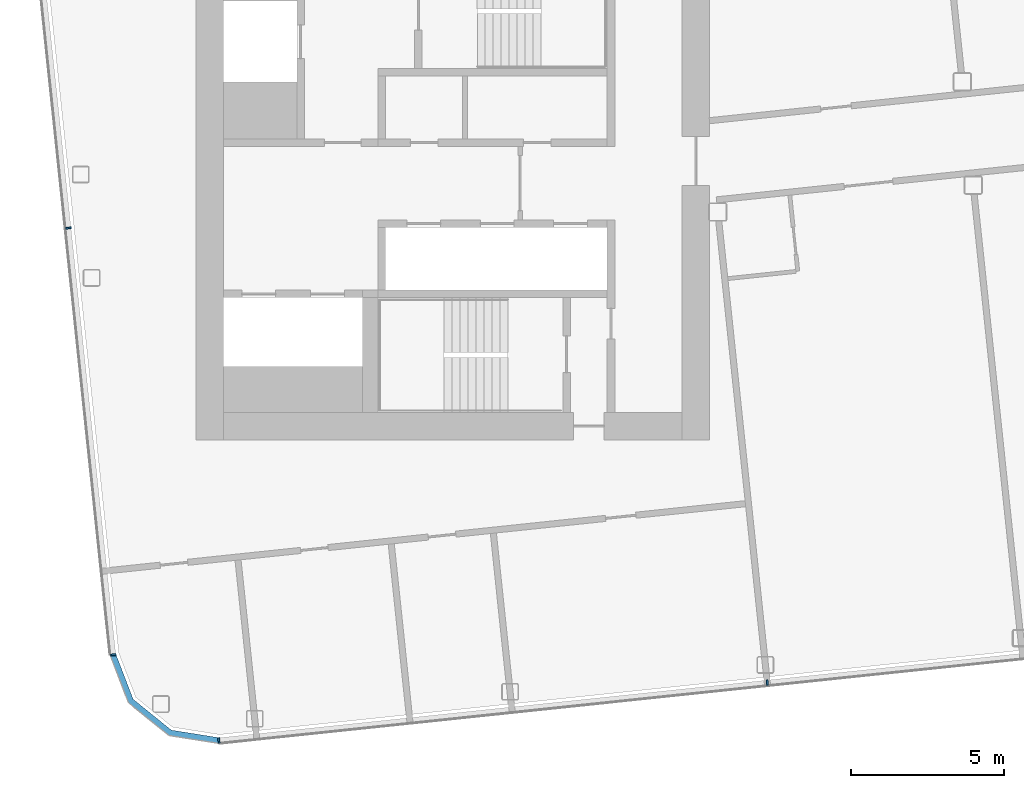
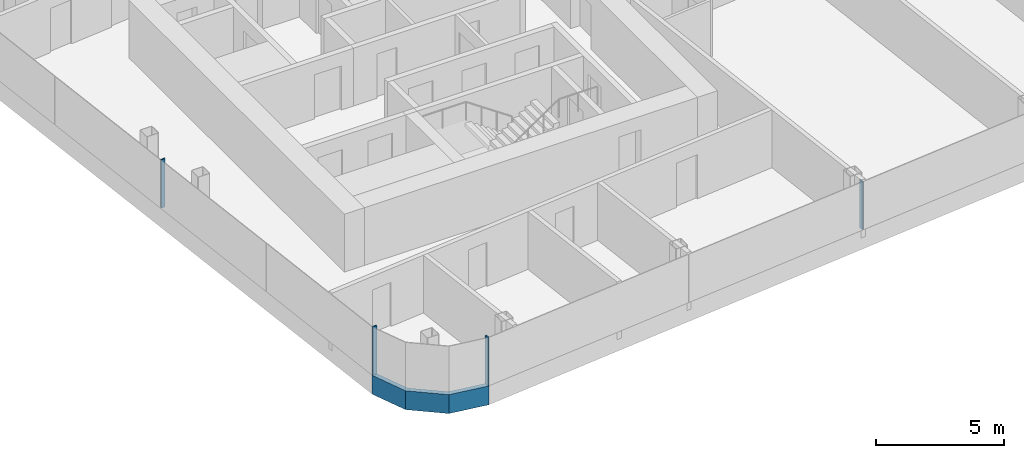
# One storey, part 3 of 27: 5 members, 3 elements without a shape of their own.
"""IFC4 building model written with IfcOpenShell, lengths in metres."""

import ifcopenshell
import ifcopenshell.guid

model = None  # the IFC model being written
_history = None  # IfcOwnerHistory: only IFC2X3 demands one
_inside = {}  # id of a spatial element -> (the spatial element, [elements in it])
_under = {}  # id of a project, library or spatial element -> (it, [spatial elements below it])
_declared = {}  # id of a project -> (the project, [libraries it declares])
_typed = {}  # id of a type object -> (the type object, [elements of that type])
_made_of = {}  # id of a material, layer set ... -> (it, [elements and type objects made of it])


def new_model(schema):
    """Start an empty IFC model of exactly this schema.

    Asked for "IFC4X3", IfcOpenShell would pick the latest addendum, in which some entities
    have other attributes; the version numbers below select the first issue.
    IFC2X3 requires an IfcOwnerHistory on every rooted entity: one is made here for all.
    """
    global model, _history
    if schema == "IFC4X3":
        model = ifcopenshell.file(schema_version=(4, 3, 0, 0))
    else:
        model = ifcopenshell.file(schema=schema)
    _inside.clear()
    _under.clear()
    _declared.clear()
    _typed.clear()
    _made_of.clear()
    _history = None
    if model.schema == "IFC2X3":
        org = make("IfcOrganization", Name="unknown")
        user = make(
            "IfcPersonAndOrganization",
            ThePerson=make("IfcPerson", FamilyName="unknown"),
            TheOrganization=org,
        )
        app = make(
            "IfcApplication",
            ApplicationDeveloper=org,
            Version="unknown",
            ApplicationFullName="unknown",
            ApplicationIdentifier="unknown",
        )
        _history = make(
            "IfcOwnerHistory",
            OwningUser=user,
            OwningApplication=app,
            ChangeAction="ADDED",
            CreationDate=0,
        )
    return model


def make(cls, **values):
    """One entity of the class cls with the attributes given. An attribute that is None is left unset."""
    return model.create_entity(
        cls, **{name: value for name, value in values.items() if value is not None}
    )


def rooted(cls, **values):
    """An entity with a GlobalId (a new one), such as an element, a storey or a relation."""
    return make(cls, GlobalId=ifcopenshell.guid.new(), OwnerHistory=_history, **values)


def si_unit(unit_type, name, prefix=None):
    """IfcSIUnit, for example si_unit("LENGTHUNIT", "METRE", prefix="MILLI")."""
    return make("IfcSIUnit", UnitType=unit_type, Prefix=prefix, Name=name)


def assignment(units):
    """IfcUnitAssignment: the units of a project."""
    return None if units is None else make("IfcUnitAssignment", Units=units)


def point(xyz):
    """IfcCartesianPoint."""
    return None if xyz is None else make("IfcCartesianPoint", Coordinates=xyz)


def direction(xyz):
    """IfcDirection."""
    return None if xyz is None else make("IfcDirection", DirectionRatios=xyz)


def frame(location, z_axis=None, x_axis=None):
    """IfcAxis2Placement3D, a coordinate frame: its origin and axes. An axis left out is left unset."""
    return make(
        "IfcAxis2Placement3D",
        Location=point(location),
        Axis=direction(z_axis),
        RefDirection=direction(x_axis),
    )


def frame_2d(location, x_axis=None):
    """IfcAxis2Placement2D, a coordinate frame in the plane: its origin and x axis."""
    return make(
        "IfcAxis2Placement2D", Location=point(location), RefDirection=direction(x_axis)
    )


def origin():
    """The frame at (0, 0, 0) with its axes left unset."""
    return frame((0.0, 0.0, 0.0))


def origin_2d():
    """The frame at (0, 0) in the plane with its x axis left unset."""
    return frame_2d((0.0, 0.0))


def place(relative_to, where):
    """IfcLocalPlacement: puts the frame where relative to a parent placement (None: the world)."""
    return make(
        "IfcLocalPlacement", PlacementRelTo=relative_to, RelativePlacement=where
    )


def context(
    kind, dimensions, precision=None, world=None, true_north=None, identifier=None
):
    """IfcGeometricRepresentationContext, for example the 3D "Model" context."""
    return make(
        "IfcGeometricRepresentationContext",
        ContextIdentifier=identifier,
        ContextType=kind,
        CoordinateSpaceDimension=dimensions,
        Precision=precision,
        WorldCoordinateSystem=world,
        TrueNorth=true_north,
    )


def subcontext(parent, identifier, kind, view, scale=None):
    """IfcGeometricRepresentationSubContext, for example "Body" below "Model"."""
    return make(
        "IfcGeometricRepresentationSubContext",
        ContextIdentifier=identifier,
        ContextType=kind,
        ParentContext=parent,
        TargetScale=scale,
        TargetView=view,
    )


def project(units=None, contexts=None):
    """IfcProject with its units and contexts."""
    return rooted(
        "IfcProject",
        Name="project",
        RepresentationContexts=contexts,
        UnitsInContext=assignment(units),
    )


def spatial(cls, under=None, at=None, **own):
    """A site, building, storey or space (cls), placed at a placement, below another one or the project."""
    s = rooted(cls, ObjectPlacement=at, **own)
    if under is not None:
        _under.setdefault(under.id(), (under, []))[1].append(s)
    return s


def polyline(points):
    """IfcPolyline through the points."""
    return make("IfcPolyline", Points=[point(p) for p in points])


def profile(cls, at=None, kind="AREA", **sizes):
    """A parametric profile (cls). Its sizes go by their IFC names, for example OverallWidth=200.0."""
    return make(cls, ProfileType=kind, Position=at, **sizes)


def rectangle(**sizes):
    """IfcRectangleProfileDef."""
    return profile("IfcRectangleProfileDef", **sizes)


def outline(outer, holes=None, kind="AREA"):
    """IfcArbitraryClosedProfileDef: a profile drawn as a closed curve; with holes, ...WithVoids."""
    if holes is None:
        return make("IfcArbitraryClosedProfileDef", ProfileType=kind, OuterCurve=outer)
    return make(
        "IfcArbitraryProfileDefWithVoids",
        ProfileType=kind,
        OuterCurve=outer,
        InnerCurves=holes,
    )


def extrude(swept, where, along, depth):
    """IfcExtrudedAreaSolid: the profile swept, set in the frame where, extruded along a direction by depth."""
    return make(
        "IfcExtrudedAreaSolid",
        SweptArea=swept,
        Position=where,
        ExtrudedDirection=direction(along),
        Depth=depth,
    )


def shape(context_of_items, identifier, shape_type, items):
    """IfcShapeRepresentation: the items that make up one representation, for example the "Body"."""
    return make(
        "IfcShapeRepresentation",
        ContextOfItems=context_of_items,
        RepresentationIdentifier=identifier,
        RepresentationType=shape_type,
        Items=items,
    )


def material(Name=None, Category=None):
    """IfcMaterial."""
    return make("IfcMaterial", Name=Name, Category=Category)


def layer(
    of_material, thickness, ventilated=None, Name=None, Category=None, Priority=None
):
    """IfcMaterialLayer: one layer of a wall or slab, of a material (None: an air gap)."""
    return make(
        "IfcMaterialLayer",
        Material=of_material,
        LayerThickness=thickness,
        IsVentilated=ventilated,
        Name=Name,
        Category=Category,
        Priority=Priority,
    )


def layer_set(layers, Name=None):
    """IfcMaterialLayerSet."""
    return make("IfcMaterialLayerSet", MaterialLayers=layers, LayerSetName=Name)


def material_profile(
    of_material, cross_section, Name=None, Category=None, Priority=None
):
    """IfcMaterialProfile: a cross section and its material."""
    return make(
        "IfcMaterialProfile",
        Name=Name,
        Material=of_material,
        Profile=cross_section,
        Priority=Priority,
        Category=Category,
    )


def profile_set(profiles, Name=None, composite=None):
    """IfcMaterialProfileSet."""
    return make(
        "IfcMaterialProfileSet",
        Name=Name,
        MaterialProfiles=profiles,
        CompositeProfile=composite,
    )


def made_of(thing, what):
    """Note that an element or type object is made of a material, layer set ...; save() writes the relation."""
    if what is not None:
        _made_of.setdefault(what.id(), (what, []))[1].append(thing)
    return thing


def type_object(cls, material=None, **own):
    """A type object (cls), such as IfcWallType, which elements share."""
    return made_of(rooted(cls, **own), material)


def element(
    cls,
    number,
    at=None,
    inside=None,
    cuts=None,
    type_object=None,
    material=None,
    context=None,
    identifier="Body",
    shape_type=None,
    held_by="IfcProductDefinitionShape",
    body=None,
    shapes=None,
    **own,
):
    """One element of the class cls, such as IfcWall. Its Tag is "e" and its number.

    at: its placement. inside: the storey or other place that contains it. cuts: it is an
    opening in that element (IfcRelVoidsElement). A single representation is given by context,
    identifier, shape_type and body (its items); several are given by shapes. held_by: the class
    of the entity that holds the representations. save() writes the other relations.
    """
    e = rooted(cls, Tag="e%d" % number, ObjectPlacement=at, **own)
    if body is not None:
        shapes = [shape(context, identifier, shape_type, body)]
    if shapes is not None:
        e.Representation = make(held_by, Representations=shapes)
    if inside is not None:
        _inside.setdefault(inside.id(), (inside, []))[1].append(e)
    if cuts is not None:
        rooted(
            "IfcRelVoidsElement", RelatingBuildingElement=cuts, RelatedOpeningElement=e
        )
    if type_object is not None:
        _typed.setdefault(type_object.id(), (type_object, []))[1].append(e)
    return made_of(e, material)


def aggregate(whole, parts):
    """IfcRelAggregates: a whole, such as a stair, and the parts it consists of."""
    return rooted("IfcRelAggregates", RelatingObject=whole, RelatedObjects=parts)


def save(model, path):
    """Write the relations noted so far, then the file.

    IfcRelAggregates (storeys below a building ...), IfcRelContainedInSpatialStructure (elements
    in a storey), IfcRelDefinesByType, IfcRelAssociatesMaterial and IfcRelDeclares: one each for
    every whole, place, type object, material and project.
    """
    for whole, parts in _under.values():
        aggregate(whole, parts)
    for where, things in _inside.values():
        rooted(
            "IfcRelContainedInSpatialStructure",
            RelatedElements=things,
            RelatingStructure=where,
        )
    for kind, things in _typed.values():
        rooted("IfcRelDefinesByType", RelatedObjects=things, RelatingType=kind)
    for what, things in _made_of.values():
        rooted("IfcRelAssociatesMaterial", RelatedObjects=things, RelatingMaterial=what)
    for by, libraries in _declared.values():
        rooted("IfcRelDeclares", RelatingContext=by, RelatedDefinitions=libraries)
    model.write(path)


model = new_model("IFC4")

# Units and contexts
model_context = context("Model", 3, precision=1e-05, world=origin(), true_north=direction((0.0, 1.0)))
body_context = subcontext(model_context, "Body", "Model", "MODEL_VIEW")
ifc_project = project(units=[si_unit("LENGTHUNIT", "METRE"), si_unit("AREAUNIT", "SQUARE_METRE"), si_unit("VOLUMEUNIT", "CUBIC_METRE"), si_unit("PLANEANGLEUNIT", "RADIAN"), si_unit("MASSUNIT", "GRAM", prefix="KILO")], contexts=[model_context])

# Site, building, storey
site_placement = place(None, origin())
site = spatial("IfcSite", under=ifc_project, at=site_placement, CompositionType="ELEMENT")
building_placement = place(site_placement, origin())
building = spatial("IfcBuilding", under=site, at=building_placement, Name="Hakoniwa Tower and Hamabe Station Hall", CompositionType="ELEMENT")
storey_placement = place(building_placement, frame((0.0, 0.0, 248.60009765625)))
storey = spatial("IfcBuildingStorey", under=building, at=storey_placement, Name="L70", CompositionType="ELEMENT", Elevation=248.60009765625)

# Curtain wall, member
ifc_material_1 = material(Name="Dark low-e laminated glass", Category="glass")
ifc_layer = layer(ifc_material_1, 0.199951171875)
ifc_layer_set = layer_set([ifc_layer], Name="CW-1 UNITISED GUEST")
curtain_wall_type = type_object("IfcCurtainWallType", Name="CW-1 UNITISED GUEST", PredefinedType="NOTDEFINED", material=ifc_layer_set)
curtain_wall_1_placement = place(storey_placement, origin())
curtain_wall_1 = element("IfcCurtainWall", 1, at=curtain_wall_1_placement, inside=storey, type_object=curtain_wall_type, Name="CW-1 curtain wall", PredefinedType="NOTDEFINED")
ifc_material_2 = material(Name="Aluminium 6063-T5 black anodised", Category="aluminium")
ifc_material_profile_1 = material_profile(ifc_material_2, rectangle(XDim=0.199951171875, YDim=0.89990234375, at=origin_2d()), Name="CW SLAB-EDGE BAND 900X200")
ifc_profile_set_1 = profile_set([ifc_material_profile_1], Name="Aluminium 6063-T5 black anodised")
member_type_1 = type_object("IfcMemberType", Name="CW SLAB-EDGE BAND 900X200", PredefinedType="USERDEFINED", material=ifc_profile_set_1)
member_1_placement = place(storey_placement, frame((0.0, 0.0, -0.550048828125)))
member_1 = element("IfcMember", 2, at=member_1_placement, type_object=member_type_1, Name="CW-1 transom", ObjectType="TRANSOM", PredefinedType="USERDEFINED", context=body_context, shape_type="SweptSolid", body=[
    extrude(outline(polyline([(-36.423828125, -15.445068359375), (-35.82421875, -17.0068359375), (-34.492431640625, -18.085205078125), (-32.84033203125, -18.346923828125), (-32.80908203125, -18.1494140625), (-34.408203125, -17.89599609375), (-35.65673828125, -16.885009765625), (-36.237060546875, -15.37353515625), (-36.423828125, -15.445068359375)])), origin(), (0.0, 0.0, 1.0), 0.89990234375),
])
aggregate(curtain_wall_1, [member_1])

# Curtain wall, members
curtain_wall_2_placement = place(storey_placement, origin())
curtain_wall_2 = element("IfcCurtainWall", 3, at=curtain_wall_2_placement, inside=storey, type_object=curtain_wall_type, Name="CW-1 curtain wall", PredefinedType="NOTDEFINED")
ifc_material_3 = material(Name="Aluminium 6063-T5 black anodised", Category="aluminium")
ifc_material_profile_2 = material_profile(ifc_material_3, rectangle(XDim=0.06005859375, YDim=0.179931640625, at=origin_2d()), Name="CW-1 MULLION 60X180")
ifc_profile_set_2 = profile_set([ifc_material_profile_2], Name="Aluminium 6063-T5 black anodised")
member_type_2 = type_object("IfcMemberType", Name="CW-1 MULLION 60X180", PredefinedType="MULLION", material=ifc_profile_set_2)
member_2_placement = place(storey_placement, frame((-37.77392578125, -1.47021484375, 0.349853515625), z_axis=(0.0, 0.0, 1.0), x_axis=(0.104528468631, -0.994521894805, 0.0)))
member_2 = element("IfcMember", 4, at=member_2_placement, type_object=member_type_2, Name="CW-1 mullion", PredefinedType="MULLION", context=body_context, shape_type="SweptSolid", body=[
    extrude(rectangle(XDim=0.06005859375, YDim=0.179931640625, at=origin_2d()), origin(), (0.0, 0.0, 1.0), 2.300048828125),
])
member_3_placement = place(storey_placement, frame((-36.306396484375, -15.432861328125, 0.349853515625), z_axis=(0.0, 0.0, 1.0), x_axis=(0.104528468631, -0.994521894805, 0.0)))
member_3 = element("IfcMember", 5, at=member_3_placement, type_object=member_type_2, Name="CW-1 mullion", PredefinedType="MULLION", context=body_context, shape_type="SweptSolid", body=[
    extrude(rectangle(XDim=0.06005859375, YDim=0.179931640625, at=origin_2d()), origin(), (0.0, 0.0, 1.0), 2.300048828125),
])
aggregate(curtain_wall_2, [member_2, member_3])

curtain_wall_3_placement = place(storey_placement, origin())
curtain_wall_3 = element("IfcCurtainWall", 6, at=curtain_wall_3_placement, inside=storey, type_object=curtain_wall_type, Name="CW-1 curtain wall", PredefinedType="NOTDEFINED")
member_4_placement = place(storey_placement, frame((-32.8525390625, -18.2294921875, 0.349853515625), z_axis=(0.0, 0.0, 1.0), x_axis=(0.994521895272, 0.104528464188, 0.0)))
member_4 = element("IfcMember", 7, at=member_4_placement, type_object=member_type_2, Name="CW-1 mullion", PredefinedType="MULLION", context=body_context, shape_type="SweptSolid", body=[
    extrude(rectangle(XDim=0.06005859375, YDim=0.179931640625, at=origin_2d()), origin(), (0.0, 0.0, 1.0), 2.300048828125),
])
member_5_placement = place(storey_placement, frame((-14.911865234375, -16.343994140625, 0.349853515625), z_axis=(0.0, 0.0, 1.0), x_axis=(0.994521895272, 0.104528464188, 0.0)))
member_5 = element("IfcMember", 8, at=member_5_placement, type_object=member_type_2, Name="CW-1 mullion", PredefinedType="MULLION", context=body_context, shape_type="SweptSolid", body=[
    extrude(rectangle(XDim=0.06005859375, YDim=0.179931640625, at=origin_2d()), origin(), (0.0, 0.0, 1.0), 2.300048828125),
])
aggregate(curtain_wall_3, [member_4, member_5])

save(model, "model.ifc")
